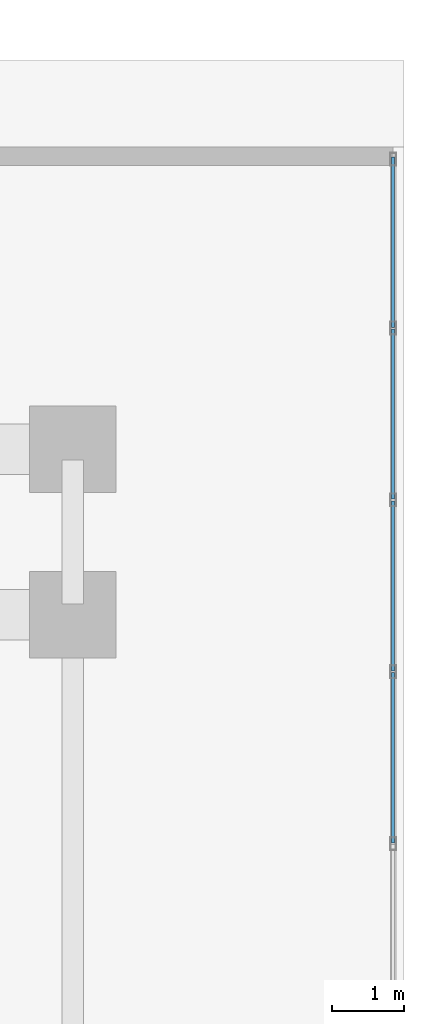
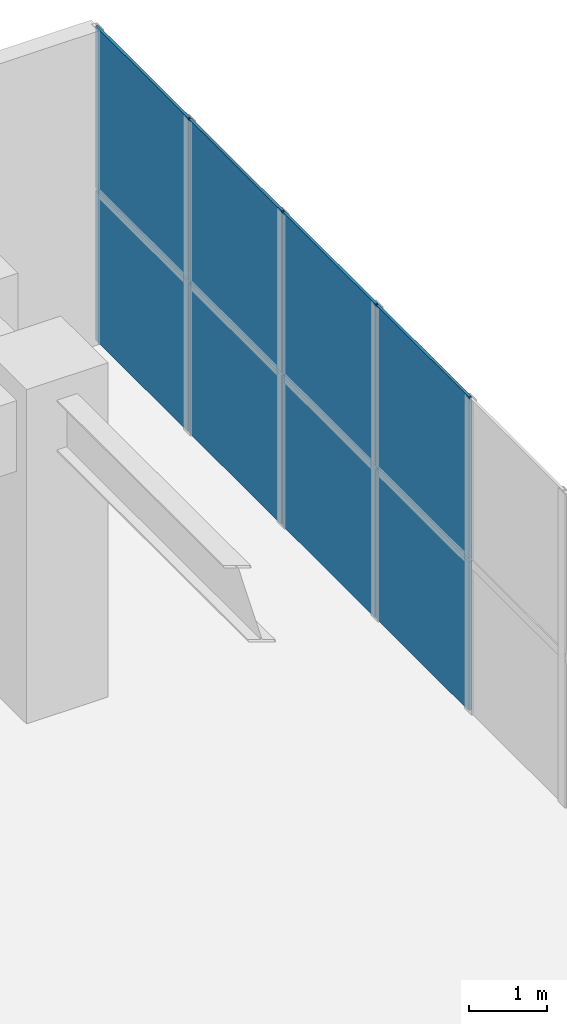
# One storey, part 31 of 40: 8 plates, 1 element without a shape of its own.
"""IFC4 building model written with IfcOpenShell, lengths in metres."""

from ifc_helpers import new_model, si_unit, direction, frame, origin, origin_2d, place, context, subcontext, project, spatial, rectangle, extrude, source, transform, mapped, material, layer, layer_set, type_object, element, aggregate, save


model = new_model("IFC4")

# Units and contexts
model_context = context("Model", 3, precision=1e-05, world=origin(), true_north=direction((0.0, 1.0)))
body_context = subcontext(model_context, "Body", "Model", "MODEL_VIEW")
ifc_project = project(units=[si_unit("LENGTHUNIT", "METRE"), si_unit("AREAUNIT", "SQUARE_METRE"), si_unit("VOLUMEUNIT", "CUBIC_METRE"), si_unit("PLANEANGLEUNIT", "RADIAN"), si_unit("MASSUNIT", "GRAM", prefix="KILO")], contexts=[model_context])

# Site, building, storey
site_placement = place(None, origin())
site = spatial("IfcSite", under=ifc_project, at=site_placement, CompositionType="ELEMENT")
building_placement = place(site_placement, origin())
building = spatial("IfcBuilding", under=site, at=building_placement, Name="Trelvane Seafront Commons", CompositionType="ELEMENT")
storey_placement = place(building_placement, origin())
storey = spatial("IfcBuildingStorey", under=building, at=storey_placement, Name="L00", CompositionType="ELEMENT", Elevation=0.0)

# Curtain wall, plates
ifc_material_1 = material(Name="Anodised pale-silver aluminium", Category="aluminium")
curtain_wall_type = type_object("IfcCurtainWallType", Name="ARCH-CW4-SKYLOBBY", PredefinedType="NOTDEFINED", material=ifc_material_1)
curtain_wall_placement = place(storey_placement, origin())
curtain_wall = element("IfcCurtainWall", 1, at=curtain_wall_placement, inside=storey, type_object=curtain_wall_type, Name="CW-L00-0005", PredefinedType="NOTDEFINED")
ifc_material_2 = material(Name="Low-E coastal double glazing", Category="glass")
ifc_layer = layer(ifc_material_2, 0.033935546875, Name="ARCH-CW-GLAZ-34")
ifc_layer_set = layer_set([ifc_layer], Name="Low-E coastal double glazing")
plate_type = type_object("IfcPlateType", Name="ARCH-CW-GLAZ-34", PredefinedType="CURTAIN_PANEL", material=ifc_layer_set)
shared_shape_1 = source(origin(), body_context, "Body", "SweptSolid", [
    extrude(rectangle(XDim=2.363037109375, YDim=0.0400390625, at=origin_2d()), origin(), (0.0, 0.0, 1.0), 2.323974609375),
])
plate_1_placement = place(storey_placement, frame((76.449951171875, 50.276611328125, 0.0), z_axis=(0.0, 0.0, 1.0), x_axis=(0.0, -1.0, 0.0)))
plate_1 = element("IfcPlate", 2, at=plate_1_placement, type_object=plate_type, Name="CW-L00-0005-P00-1", PredefinedType="CURTAIN_PANEL", context=body_context, shape_type="MappedRepresentation", body=[
    mapped(shared_shape_1, transform((0.0, 0.0, 0.0), x_axis=(1.0, 0.0, 0.0), y_axis=(0.0, 1.0, 0.0), z_axis=(0.0, 0.0, 1.0), scale=1.0)),
])
plate_2_placement = place(storey_placement, frame((76.449951171875, 47.889404296875, 0.0), z_axis=(0.0, 0.0, 1.0), x_axis=(0.0, -1.0, 0.0)))
plate_2 = element("IfcPlate", 3, at=plate_2_placement, type_object=plate_type, Name="CW-L00-0005-P01-1", PredefinedType="CURTAIN_PANEL", context=body_context, shape_type="MappedRepresentation", body=[
    mapped(shared_shape_1, transform((0.0, 0.0, 0.0), x_axis=(1.0, 0.0, 0.0), y_axis=(0.0, 1.0, 0.0), z_axis=(0.0, 0.0, 1.0), scale=1.0)),
])
plate_3_placement = place(storey_placement, frame((76.449951171875, 45.50244140625, 0.0), z_axis=(0.0, 0.0, 1.0), x_axis=(0.0, -1.0, 0.0)))
plate_3 = element("IfcPlate", 4, at=plate_3_placement, type_object=plate_type, Name="CW-L00-0005-P02-1", PredefinedType="CURTAIN_PANEL", context=body_context, shape_type="MappedRepresentation", body=[
    mapped(shared_shape_1, transform((0.0, 0.0, 0.0), x_axis=(1.0, 0.0, 0.0), y_axis=(0.0, 1.0, 0.0), z_axis=(0.0, 0.0, 1.0), scale=1.0)),
])
plate_4_placement = place(storey_placement, frame((76.449951171875, 43.115478515625, 0.0), z_axis=(0.0, 0.0, 1.0), x_axis=(0.0, -1.0, 0.0)))
plate_4 = element("IfcPlate", 5, at=plate_4_placement, type_object=plate_type, Name="CW-L00-0005-P03-1", PredefinedType="CURTAIN_PANEL", context=body_context, shape_type="MappedRepresentation", body=[
    mapped(shared_shape_1, transform((0.0, 0.0, 0.0), x_axis=(1.0, 0.0, 0.0), y_axis=(0.0, 1.0, 0.0), z_axis=(0.0, 0.0, 1.0), scale=1.0)),
])
shared_shape_2 = source(origin(), body_context, "Body", "SweptSolid", [
    extrude(rectangle(XDim=2.363037109375, YDim=0.0400390625, at=origin_2d()), origin(), (0.0, 0.0, 1.0), 2.52001953125),
])
plate_5_placement = place(storey_placement, frame((76.449951171875, 50.276611328125, 2.360107421875), z_axis=(0.0, 0.0, 1.0), x_axis=(0.0, -1.0, 0.0)))
plate_5 = element("IfcPlate", 6, at=plate_5_placement, type_object=plate_type, Name="CW-L00-0005-P00-2", PredefinedType="CURTAIN_PANEL", context=body_context, shape_type="MappedRepresentation", body=[
    mapped(shared_shape_2, transform((0.0, 0.0, 0.0), x_axis=(1.0, 0.0, 0.0), y_axis=(0.0, 1.0, 0.0), z_axis=(0.0, 0.0, 1.0), scale=1.0)),
])
plate_6_placement = place(storey_placement, frame((76.449951171875, 47.889404296875, 2.360107421875), z_axis=(0.0, 0.0, 1.0), x_axis=(0.0, -1.0, 0.0)))
plate_6 = element("IfcPlate", 7, at=plate_6_placement, type_object=plate_type, Name="CW-L00-0005-P01-2", PredefinedType="CURTAIN_PANEL", context=body_context, shape_type="MappedRepresentation", body=[
    mapped(shared_shape_2, transform((0.0, 0.0, 0.0), x_axis=(1.0, 0.0, 0.0), y_axis=(0.0, 1.0, 0.0), z_axis=(0.0, 0.0, 1.0), scale=1.0)),
])
plate_7_placement = place(storey_placement, frame((76.449951171875, 45.50244140625, 2.360107421875), z_axis=(0.0, 0.0, 1.0), x_axis=(0.0, -1.0, 0.0)))
plate_7 = element("IfcPlate", 8, at=plate_7_placement, type_object=plate_type, Name="CW-L00-0005-P02-2", PredefinedType="CURTAIN_PANEL", context=body_context, shape_type="MappedRepresentation", body=[
    mapped(shared_shape_2, transform((0.0, 0.0, 0.0), x_axis=(1.0, 0.0, 0.0), y_axis=(0.0, 1.0, 0.0), z_axis=(0.0, 0.0, 1.0), scale=1.0)),
])
plate_8_placement = place(storey_placement, frame((76.449951171875, 43.115478515625, 2.360107421875), z_axis=(0.0, 0.0, 1.0), x_axis=(0.0, -1.0, 0.0)))
plate_8 = element("IfcPlate", 9, at=plate_8_placement, type_object=plate_type, Name="CW-L00-0005-P03-2", PredefinedType="CURTAIN_PANEL", context=body_context, shape_type="MappedRepresentation", body=[
    mapped(shared_shape_2, transform((0.0, 0.0, 0.0), x_axis=(1.0, 0.0, 0.0), y_axis=(0.0, 1.0, 0.0), z_axis=(0.0, 0.0, 1.0), scale=1.0)),
])
aggregate(curtain_wall, [plate_1, plate_5, plate_2, plate_6, plate_3, plate_7, plate_4, plate_8])

save(model, "model.ifc")
